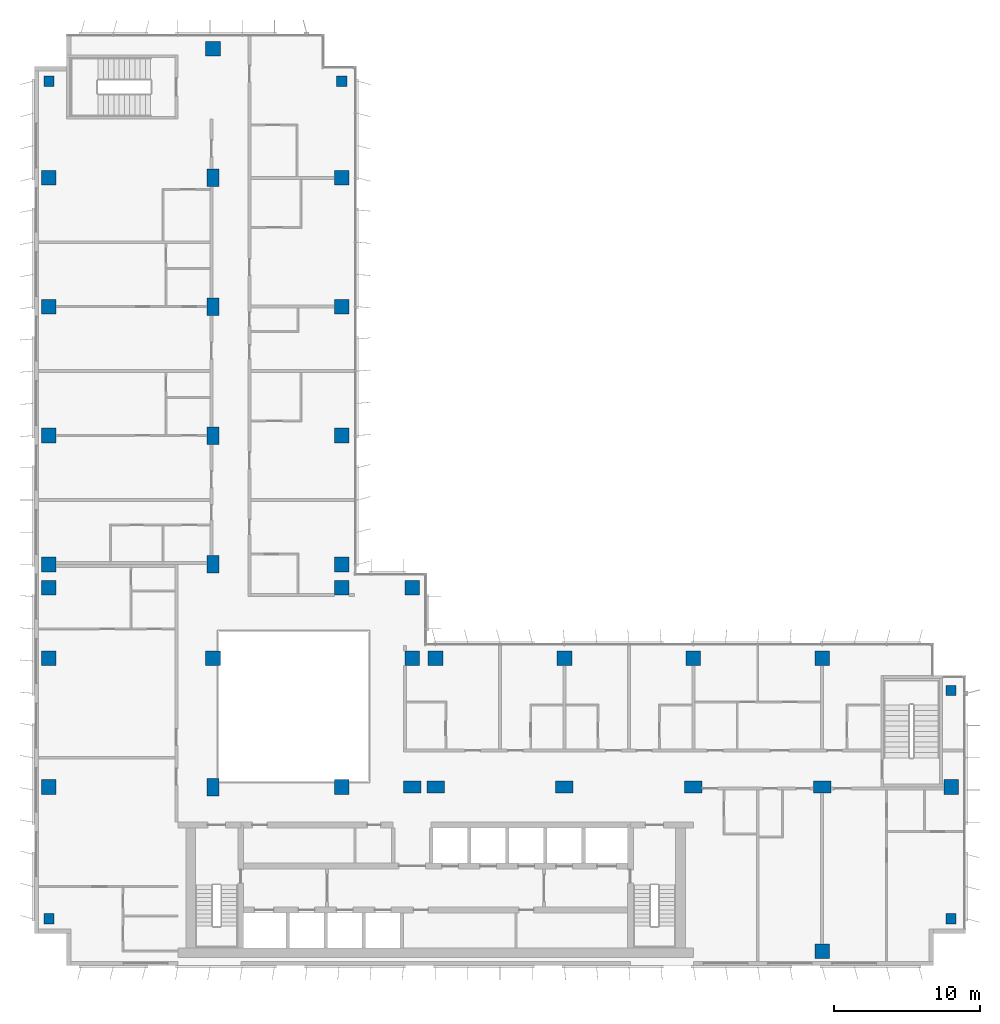
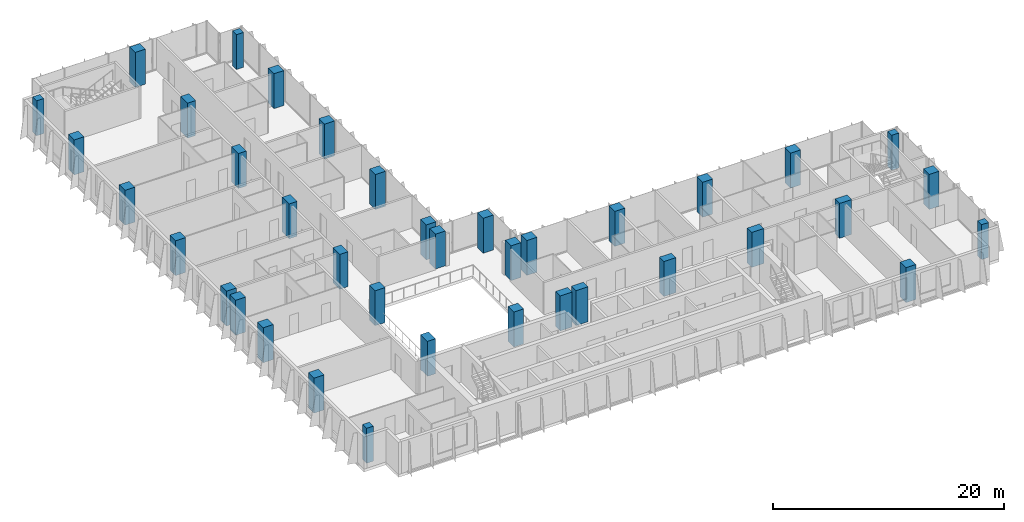
# One storey, part 1 of 21: 38 columns.
"""IFC4 building model written with IfcOpenShell, lengths in metres."""

from ifc_helpers import new_model, si_unit, direction, frame, origin, origin_2d, place, context, subcontext, project, spatial, rectangle, extrude, material, material_profile, profile_set, type_object, element, save


model = new_model("IFC4")

# Units and contexts
model_context = context("Model", 3, precision=1e-05, world=origin(), true_north=direction((0.0, 1.0)))
body_context = subcontext(model_context, "Body", "Model", "MODEL_VIEW")
ifc_project = project(units=[si_unit("LENGTHUNIT", "METRE"), si_unit("AREAUNIT", "SQUARE_METRE"), si_unit("VOLUMEUNIT", "CUBIC_METRE"), si_unit("PLANEANGLEUNIT", "RADIAN"), si_unit("MASSUNIT", "GRAM", prefix="KILO")], contexts=[model_context])

# Site, building, storey
site_placement = place(None, origin())
site = spatial("IfcSite", under=ifc_project, at=site_placement, CompositionType="ELEMENT")
building_placement = place(site_placement, origin())
building = spatial("IfcBuilding", under=site, at=building_placement, Name="Kemantara Hotel Tower", CompositionType="ELEMENT")
storey_placement = place(building_placement, frame((0.0, 0.0, 211.699951171875)))
storey = spatial("IfcBuildingStorey", under=building, at=storey_placement, Name="L52", CompositionType="ELEMENT", Elevation=211.699951171875)

# Columns
ifc_material = material(Name="Concrete fc 60 MPa", Category="concrete")
ifc_material_profile_1 = material_profile(ifc_material, rectangle(XDim=1.0, YDim=1.0, at=origin_2d()), Name="RC 1000X1000")
ifc_profile_set_1 = profile_set([ifc_material_profile_1], Name="Concrete fc 60 MPa")
column_type_1 = type_object("IfcColumnType", Name="RC COLUMN 1000X1000 FC60", PredefinedType="COLUMN", material=ifc_profile_set_1)
for number, where, z_axis, x_axis, name in (
    (1, (1.0, 12.199951171875, 0.0), (0.0, 0.0, 1.0), (1.0, 0.0, 0.0), "COLUMN 1/BA L52"),
    (2, (1.0, 21.0, 0.0), (0.0, 0.0, 1.0), (1.0, 0.0, 0.0), "COLUMN 1/C L52"),
    (3, (1.0, 25.800048828125, 0.0), (0.0, 0.0, 1.0), (1.0, 0.0, 0.0), "COLUMN 1/CA L52"),
    (4, (1.0, 27.39990234375, 0.0), (0.0, 0.0, 1.0), (1.0, 0.0, 0.0), "COLUMN 1/D L52"),
    (5, (1.0, 36.199951171875, 0.0), (0.0, 0.0, 1.0), (1.0, 0.0, 0.0), "COLUMN 1/E L52"),
    (6, (1.0, 45.0, 0.0), (0.0, 0.0, 1.0), (1.0, 0.0, 0.0), "COLUMN 1/F L52"),
    (7, (1.0, 53.800048828125, 0.0), (0.0, 0.0, 1.0), (1.0, 0.0, 0.0), "COLUMN 1/G L52"),
    (8, (12.199951171875, 21.0, 0.0), (0.0, 0.0, 1.0), (1.0, 0.0, 0.0), "COLUMN 2A/C L52"),
    (9, (12.199951171875, 62.60009765625, 0.0), (0.0, 0.0, 1.0), (1.0, 0.0, 0.0), "COLUMN 2A/H L52"),
    (10, (21.0, 12.199951171875, 0.0), (0.0, 0.0, 1.0), (1.0, 0.0, 0.0), "COLUMN 3/BA L52"),
    (11, (21.0, 25.800048828125, 0.0), (0.0, 0.0, 1.0), (1.0, 0.0, 0.0), "COLUMN 3/CA L52"),
    (12, (21.0, 27.39990234375, 0.0), (0.0, 0.0, 1.0), (1.0, 0.0, 0.0), "COLUMN 3/D L52"),
    (13, (21.0, 36.199951171875, 0.0), (0.0, 0.0, 1.0), (1.0, 0.0, 0.0), "COLUMN 3/E L52"),
    (14, (21.0, 45.0, 0.0), (0.0, 0.0, 1.0), (1.0, 0.0, 0.0), "COLUMN 3/F L52"),
    (15, (21.0, 53.800048828125, 0.0), (0.0, 0.0, 1.0), (1.0, 0.0, 0.0), "COLUMN 3/G L52"),
    (16, (25.800048828125, 21.0, 0.0), (0.0, 0.0, 1.0), (1.0, 0.0, 0.0), "COLUMN 3A/C L52"),
    (17, (25.800048828125, 25.800048828125, 0.0), (0.0, 0.0, 1.0), (1.0, 0.0, 0.0), "COLUMN 3A/CA L52"),
    (18, (27.39990234375, 21.0, 0.0), (0.0, 0.0, 1.0), (1.0, 0.0, 0.0), "COLUMN 4/C L52"),
    (19, (36.199951171875, 21.0, 0.0), (0.0, 0.0, 1.0), (1.0, 0.0, 0.0), "COLUMN 5/C L52"),
    (20, (45.0, 21.0, 0.0), (0.0, 0.0, 1.0), (1.0, 0.0, 0.0), "COLUMN 6/C L52"),
    (21, (53.800048828125, 1.0, 0.0), (0.0, 0.0, 1.0), (1.0, 0.0, 0.0), "COLUMN 7/A L52"),
    (22, (53.800048828125, 21.0, 0.0), (0.0, 0.0, 1.0), (1.0, 0.0, 0.0), "COLUMN 7/C L52"),
    (23, (62.60009765625, 12.199951171875, 0.0), (0.0, 0.0, 1.0), (1.0, 0.0, 0.0), "COLUMN 8/BA L52"),
):
    element("IfcColumn", number, at=place(storey_placement, frame(where, z_axis=z_axis, x_axis=x_axis)), inside=storey, type_object=column_type_1, Name=name, PredefinedType="COLUMN", context=body_context, shape_type="SweptSolid", body=[
        extrude(rectangle(XDim=1.0, YDim=1.0, at=origin_2d()), origin(), (0.0, 0.0, 1.0), 3.699951171875),
    ])
ifc_material_profile_2 = material_profile(ifc_material, rectangle(XDim=1.199951171875, YDim=0.800048828125, at=origin_2d()), Name="RC 1200X800")
ifc_profile_set_2 = profile_set([ifc_material_profile_2], Name="Concrete fc 60 MPa")
column_type_2 = type_object("IfcColumnType", Name="RC COLUMN 1200X800 FC60", PredefinedType="COLUMN", material=ifc_profile_set_2)
for number, where, z_axis, x_axis, name in (
    (24, (12.199951171875, 12.199951171875, 0.0), (0.0, 0.0, 1.0), (0.0, 1.0, 0.0), "COLUMN 2A/BA L52"),
    (25, (12.199951171875, 27.39990234375, 0.0), (0.0, 0.0, 1.0), (0.0, 1.0, 0.0), "COLUMN 2A/D L52"),
    (26, (12.199951171875, 36.199951171875, 0.0), (0.0, 0.0, 1.0), (0.0, 1.0, 0.0), "COLUMN 2A/E L52"),
    (27, (12.199951171875, 45.0, 0.0), (0.0, 0.0, 1.0), (0.0, 1.0, 0.0), "COLUMN 2A/F L52"),
    (28, (12.199951171875, 53.800048828125, 0.0), (0.0, 0.0, 1.0), (0.0, 1.0, 0.0), "COLUMN 2A/G L52"),
    (29, (25.800048828125, 12.199951171875, 0.0), (0.0, 0.0, 1.0), (1.0, 0.0, 0.0), "COLUMN 3A/BA L52"),
    (30, (27.39990234375, 12.199951171875, 0.0), (0.0, 0.0, 1.0), (1.0, 0.0, 0.0), "COLUMN 4/BA L52"),
    (31, (36.199951171875, 12.199951171875, 0.0), (0.0, 0.0, 1.0), (1.0, 0.0, 0.0), "COLUMN 5/BA L52"),
    (32, (45.0, 12.199951171875, 0.0), (0.0, 0.0, 1.0), (1.0, 0.0, 0.0), "COLUMN 6/BA L52"),
    (33, (53.800048828125, 12.199951171875, 0.0), (0.0, 0.0, 1.0), (1.0, 0.0, 0.0), "COLUMN 7/BA L52"),
):
    element("IfcColumn", number, at=place(storey_placement, frame(where, z_axis=z_axis, x_axis=x_axis)), inside=storey, type_object=column_type_2, Name=name, PredefinedType="COLUMN", context=body_context, shape_type="SweptSolid", body=[
        extrude(rectangle(XDim=1.199951171875, YDim=0.800048828125, at=origin_2d()), origin(), (0.0, 0.0, 1.0), 3.699951171875),
    ])
ifc_material_profile_3 = material_profile(ifc_material, rectangle(XDim=0.699951171875, YDim=0.699951171875, at=origin_2d()), Name="RC 700X700")
ifc_profile_set_3 = profile_set([ifc_material_profile_3], Name="Concrete fc 60 MPa")
column_type_3 = type_object("IfcColumnType", Name="RC COLUMN 700X700 FC60", PredefinedType="COLUMN", material=ifc_profile_set_3)
for number, where, z_axis, x_axis, name in (
    (34, (1.0, 3.199951171875, 0.0), (0.0, 0.0, 1.0), (1.0, 0.0, 0.0), "COLUMN notch corner L52"),
    (35, (1.0, 60.39990234375, 0.0), (0.0, 0.0, 1.0), (1.0, 0.0, 0.0), "COLUMN notch corner L52"),
    (36, (21.0, 60.39990234375, 0.0), (0.0, 0.0, 1.0), (1.0, 0.0, 0.0), "COLUMN notch corner L52"),
    (37, (62.60009765625, 3.199951171875, 0.0), (0.0, 0.0, 1.0), (1.0, 0.0, 0.0), "COLUMN notch corner L52"),
    (38, (62.60009765625, 18.800048828125, 0.0), (0.0, 0.0, 1.0), (1.0, 0.0, 0.0), "COLUMN notch corner L52"),
):
    element("IfcColumn", number, at=place(storey_placement, frame(where, z_axis=z_axis, x_axis=x_axis)), inside=storey, type_object=column_type_3, Name=name, PredefinedType="COLUMN", context=body_context, shape_type="SweptSolid", body=[
        extrude(rectangle(XDim=0.699951171875, YDim=0.699951171875, at=origin_2d()), origin(), (0.0, 0.0, 1.0), 3.699951171875),
    ])

save(model, "model.ifc")
